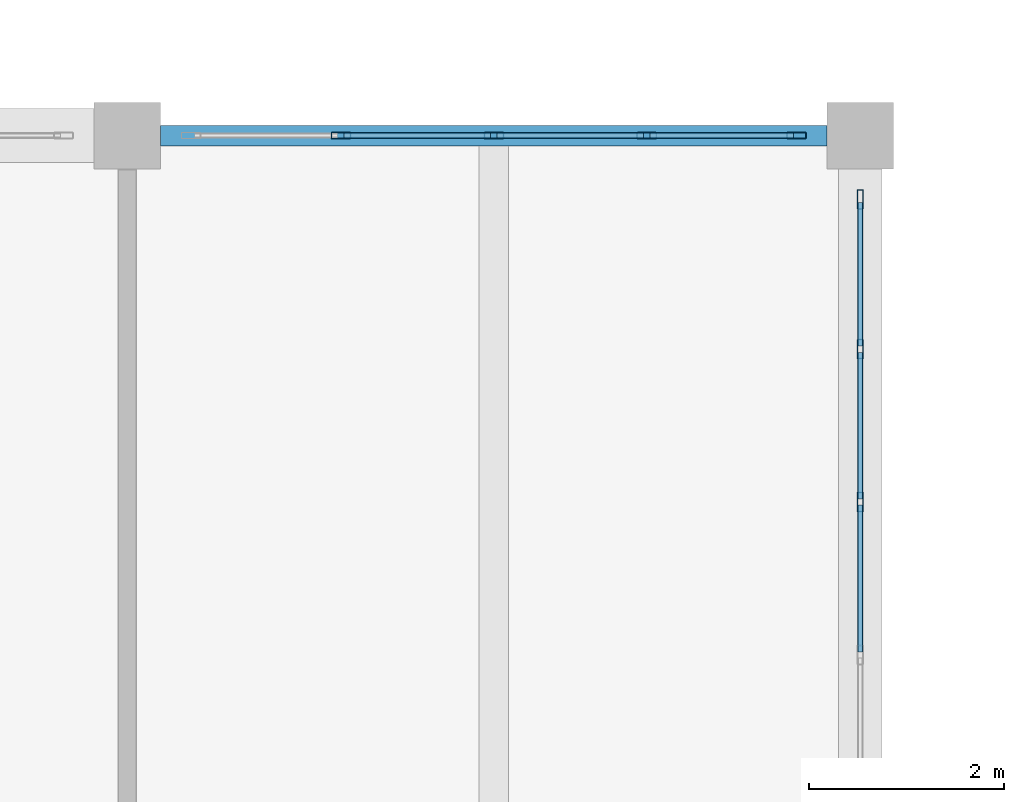
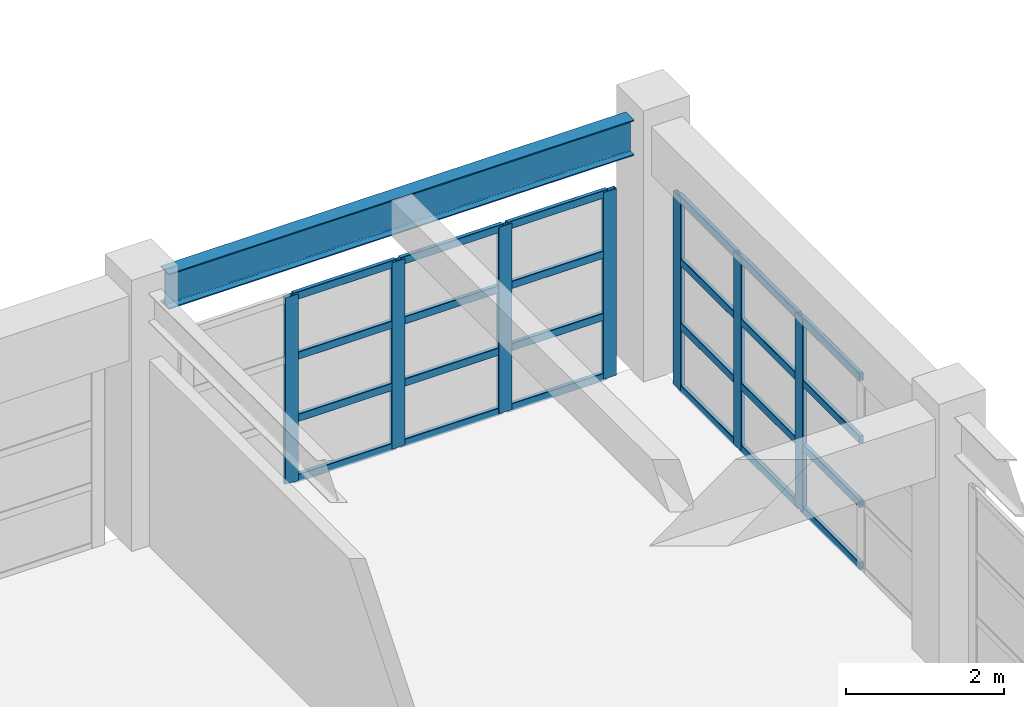
# One storey, part 27 of 132: 31 members, 1 beam, 2 elements without a shape of their own.
"""IFC4 building model written with IfcOpenShell, lengths in metres."""

from ifc_helpers import new_model, si_unit, direction, frame, origin, origin_2d, place, context, subcontext, project, spatial, hollow_rectangle, i_section, extrude, material, material_profile, profile_set, type_object, element, aggregate, save


model = new_model("IFC4")

# Units and contexts
model_context = context("Model", 3, precision=1e-05, world=origin(), true_north=direction((0.0, 1.0)))
body_context = subcontext(model_context, "Body", "Model", "MODEL_VIEW")
ifc_project = project(units=[si_unit("LENGTHUNIT", "METRE"), si_unit("AREAUNIT", "SQUARE_METRE"), si_unit("VOLUMEUNIT", "CUBIC_METRE"), si_unit("PLANEANGLEUNIT", "RADIAN"), si_unit("MASSUNIT", "GRAM", prefix="KILO")], contexts=[model_context])

# Site, building, storey
site_placement = place(None, origin())
site = spatial("IfcSite", under=ifc_project, at=site_placement, CompositionType="ELEMENT")
building_placement = place(site_placement, origin())
building = spatial("IfcBuilding", under=site, at=building_placement, Name="Qasida Concert Hall", CompositionType="ELEMENT")
storey_placement = place(building_placement, frame((0.0, 0.0, 4.800048828125)))
storey = spatial("IfcBuildingStorey", under=building, at=storey_placement, Name="L01", CompositionType="ELEMENT", Elevation=4.800048828125)

# Beam
ifc_material_1 = material(Name="Steel S355J2", Category="steel")
ifc_material_profile_1 = material_profile(ifc_material_1, i_section(OverallWidth=0.2099609375, OverallDepth=0.550048828125, WebThickness=0.010986328125, FlangeThickness=0.01708984375, FilletRadius=0.02392578125, at=origin_2d()), Name="IPE 550")
ifc_profile_set_1 = profile_set([ifc_material_profile_1], Name="Steel S355J2")
beam_type = type_object("IfcBeamType", Name="BM-SP2", PredefinedType="SPANDREL", material=ifc_profile_set_1)
beam_placement = place(storey_placement, frame((30.340087890625, 52.5, 3.64501953125), z_axis=(1.0, 0.0, 0.0), x_axis=(0.0, 1.0, 0.0)))
element("IfcBeam", 1, at=beam_placement, inside=storey, type_object=beam_type, Name="Primary girder 0919", PredefinedType="SPANDREL", context=body_context, shape_type="SweptSolid", body=[
    extrude(i_section(OverallWidth=0.2099609375, OverallDepth=0.550048828125, WebThickness=0.010986328125, FlangeThickness=0.01708984375, FilletRadius=0.02392578125, at=origin_2d()), origin(), (0.0, 0.0, 1.0), 6.81982421875),
])

# Curtain wall, members
ifc_material_2 = material(Name="Architectural bronze-anodized aluminium and low-E glass", Category="aluminium")
curtain_wall_type = type_object("IfcCurtainWallType", Name="CW-07", PredefinedType="NOTDEFINED", material=ifc_material_2)
curtain_wall_1_placement = place(storey_placement, origin())
curtain_wall_1 = element("IfcCurtainWall", 2, at=curtain_wall_1_placement, inside=storey, type_object=curtain_wall_type, Name="L01 curtain wall CW-07 0090", PredefinedType="NOTDEFINED")
ifc_material_3 = material(Name="Architectural bronze-anodized aluminium EN AW-6063", Category="aluminium")
ifc_material_profile_2 = material_profile(ifc_material_3, hollow_rectangle(XDim=0.06494140625, YDim=0.199951171875, WallThickness=0.0048828125, InnerFilletRadius=0.0048828125, OuterFilletRadius=0.010009765625, at=origin_2d()), Name="CWM 200x65x5")
ifc_profile_set_2 = profile_set([ifc_material_profile_2], Name="Architectural bronze-anodized aluminium EN AW-6063")
member_type_1 = type_object("IfcMemberType", Name="MB-CWM-2", PredefinedType="MULLION", material=ifc_profile_set_2)
member_1_placement = place(storey_placement, frame((32.18505859375, 52.5, 0.0), z_axis=(0.0, 0.0, 1.0), x_axis=(0.0, 1.0, 0.0)))
member_1 = element("IfcMember", 3, at=member_1_placement, type_object=member_type_1, Name="CW-07 mullion 2", PredefinedType="MULLION", context=body_context, shape_type="SweptSolid", body=[
    extrude(hollow_rectangle(XDim=0.06494140625, YDim=0.199951171875, WallThickness=0.0048828125, InnerFilletRadius=0.0048828125, OuterFilletRadius=0.010009765625, at=origin_2d()), origin(), (0.0, 0.0, 1.0), 2.889892578125),
])
member_2_placement = place(storey_placement, frame((33.75, 52.5, 0.0), z_axis=(0.0, 0.0, 1.0), x_axis=(0.0, 1.0, 0.0)))
member_2 = element("IfcMember", 4, at=member_2_placement, type_object=member_type_1, Name="CW-07 mullion 3", PredefinedType="MULLION", context=body_context, shape_type="SweptSolid", body=[
    extrude(hollow_rectangle(XDim=0.06494140625, YDim=0.199951171875, WallThickness=0.0048828125, InnerFilletRadius=0.0048828125, OuterFilletRadius=0.010009765625, at=origin_2d()), origin(), (0.0, 0.0, 1.0), 2.889892578125),
])
member_3_placement = place(storey_placement, frame((35.31494140625, 52.5, 0.0), z_axis=(0.0, 0.0, 1.0), x_axis=(0.0, 1.0, 0.0)))
member_3 = element("IfcMember", 5, at=member_3_placement, type_object=member_type_1, Name="CW-07 mullion 4", PredefinedType="MULLION", context=body_context, shape_type="SweptSolid", body=[
    extrude(hollow_rectangle(XDim=0.06494140625, YDim=0.199951171875, WallThickness=0.0048828125, InnerFilletRadius=0.0048828125, OuterFilletRadius=0.010009765625, at=origin_2d()), origin(), (0.0, 0.0, 1.0), 2.889892578125),
])
member_4_placement = place(storey_placement, frame((36.847412109375, 52.5, 0.0), z_axis=(0.0, 0.0, 1.0), x_axis=(0.0, 1.0, 0.0)))
member_4 = element("IfcMember", 6, at=member_4_placement, type_object=member_type_1, Name="CW-07 mullion 5", PredefinedType="MULLION", context=body_context, shape_type="SweptSolid", body=[
    extrude(hollow_rectangle(XDim=0.06494140625, YDim=0.199951171875, WallThickness=0.0048828125, InnerFilletRadius=0.0048828125, OuterFilletRadius=0.010009765625, at=origin_2d()), origin(), (0.0, 0.0, 1.0), 2.889892578125),
])

curtain_wall_2_placement = place(storey_placement, origin())
curtain_wall_2 = element("IfcCurtainWall", 7, at=curtain_wall_2_placement, inside=storey, type_object=curtain_wall_type, Name="L01 curtain wall CW-07 0098", PredefinedType="NOTDEFINED")
member_5_placement = place(storey_placement, frame((37.5, 48.75, 0.0), z_axis=(0.0, 0.0, 1.0), x_axis=(-1.0, 0.0, 0.0)))
member_5 = element("IfcMember", 8, at=member_5_placement, type_object=member_type_1, Name="CW-07 mullion 3", PredefinedType="MULLION", context=body_context, shape_type="SweptSolid", body=[
    extrude(hollow_rectangle(XDim=0.06494140625, YDim=0.199951171875, WallThickness=0.0048828125, InnerFilletRadius=0.0048828125, OuterFilletRadius=0.010009765625, at=origin_2d()), origin(), (0.0, 0.0, 1.0), 2.989990234375),
])
member_6_placement = place(storey_placement, frame((37.5, 50.31494140625, 0.0), z_axis=(0.0, 0.0, 1.0), x_axis=(-1.0, 0.0, 0.0)))
member_6 = element("IfcMember", 9, at=member_6_placement, type_object=member_type_1, Name="CW-07 mullion 4", PredefinedType="MULLION", context=body_context, shape_type="SweptSolid", body=[
    extrude(hollow_rectangle(XDim=0.06494140625, YDim=0.199951171875, WallThickness=0.0048828125, InnerFilletRadius=0.0048828125, OuterFilletRadius=0.010009765625, at=origin_2d()), origin(), (0.0, 0.0, 1.0), 2.989990234375),
])
member_7_placement = place(storey_placement, frame((37.5, 51.847412109375, 0.0), z_axis=(0.0, 0.0, 1.0), x_axis=(-1.0, 0.0, 0.0)))
member_7 = element("IfcMember", 10, at=member_7_placement, type_object=member_type_1, Name="CW-07 mullion 5", PredefinedType="MULLION", context=body_context, shape_type="SweptSolid", body=[
    extrude(hollow_rectangle(XDim=0.06494140625, YDim=0.199951171875, WallThickness=0.0048828125, InnerFilletRadius=0.0048828125, OuterFilletRadius=0.010009765625, at=origin_2d()), origin(), (0.0, 0.0, 1.0), 2.989990234375),
])

# Member
ifc_material_profile_3 = material_profile(ifc_material_3, hollow_rectangle(XDim=0.06005859375, YDim=0.1201171875, WallThickness=0.00390625, InnerFilletRadius=0.00390625, OuterFilletRadius=0.008056640625, at=origin_2d()), Name="CWT 120x60x4")
ifc_profile_set_3 = profile_set([ifc_material_profile_3], Name="Architectural bronze-anodized aluminium EN AW-6063")
member_type_2 = type_object("IfcMemberType", Name="MB-CWT-2", PredefinedType="USERDEFINED", material=ifc_profile_set_3)
member_8_placement = place(storey_placement, frame((32.217529296875, 52.5, 0.030029296875), z_axis=(1.0, 0.0, 0.0), x_axis=(0.0, 1.0, 0.0)))
member_8 = element("IfcMember", 11, at=member_8_placement, type_object=member_type_2, Name="CW-07 transom 2.1", ObjectType="TRANSOM", PredefinedType="USERDEFINED", context=body_context, shape_type="SweptSolid", body=[
    extrude(hollow_rectangle(XDim=0.06005859375, YDim=0.1201171875, WallThickness=0.00390625, InnerFilletRadius=0.00390625, OuterFilletRadius=0.008056640625, at=origin_2d()), origin(), (0.0, 0.0, 1.0), 1.5),
])

member_9_placement = place(storey_placement, frame((32.217529296875, 52.5, 0.963134765625), z_axis=(1.0, 0.0, 0.0), x_axis=(0.0, 1.0, 0.0)))
member_9 = element("IfcMember", 12, at=member_9_placement, type_object=member_type_2, Name="CW-07 transom 2.2", ObjectType="TRANSOM", PredefinedType="USERDEFINED", context=body_context, shape_type="SweptSolid", body=[
    extrude(hollow_rectangle(XDim=0.06005859375, YDim=0.1201171875, WallThickness=0.00390625, InnerFilletRadius=0.00390625, OuterFilletRadius=0.008056640625, at=origin_2d()), origin(), (0.0, 0.0, 1.0), 1.5),
])

member_10_placement = place(storey_placement, frame((32.217529296875, 52.5, 1.9267578125), z_axis=(1.0, 0.0, 0.0), x_axis=(0.0, 1.0, 0.0)))
member_10 = element("IfcMember", 13, at=member_10_placement, type_object=member_type_2, Name="CW-07 transom 2.3", ObjectType="TRANSOM", PredefinedType="USERDEFINED", context=body_context, shape_type="SweptSolid", body=[
    extrude(hollow_rectangle(XDim=0.06005859375, YDim=0.1201171875, WallThickness=0.00390625, InnerFilletRadius=0.00390625, OuterFilletRadius=0.008056640625, at=origin_2d()), origin(), (0.0, 0.0, 1.0), 1.5),
])

member_11_placement = place(storey_placement, frame((32.217529296875, 52.5, 2.85986328125), z_axis=(1.0, 0.0, 0.0), x_axis=(0.0, 1.0, 0.0)))
member_11 = element("IfcMember", 14, at=member_11_placement, type_object=member_type_2, Name="CW-07 transom 2.4", ObjectType="TRANSOM", PredefinedType="USERDEFINED", context=body_context, shape_type="SweptSolid", body=[
    extrude(hollow_rectangle(XDim=0.06005859375, YDim=0.1201171875, WallThickness=0.00390625, InnerFilletRadius=0.00390625, OuterFilletRadius=0.008056640625, at=origin_2d()), origin(), (0.0, 0.0, 1.0), 1.5),
])

member_12_placement = place(storey_placement, frame((33.782470703125, 52.5, 0.030029296875), z_axis=(1.0, 0.0, 0.0), x_axis=(0.0, 1.0, 0.0)))
member_12 = element("IfcMember", 15, at=member_12_placement, type_object=member_type_2, Name="CW-07 transom 3.1", ObjectType="TRANSOM", PredefinedType="USERDEFINED", context=body_context, shape_type="SweptSolid", body=[
    extrude(hollow_rectangle(XDim=0.06005859375, YDim=0.1201171875, WallThickness=0.00390625, InnerFilletRadius=0.00390625, OuterFilletRadius=0.008056640625, at=origin_2d()), origin(), (0.0, 0.0, 1.0), 1.5),
])

member_13_placement = place(storey_placement, frame((33.782470703125, 52.5, 0.963134765625), z_axis=(1.0, 0.0, 0.0), x_axis=(0.0, 1.0, 0.0)))
member_13 = element("IfcMember", 16, at=member_13_placement, type_object=member_type_2, Name="CW-07 transom 3.2", ObjectType="TRANSOM", PredefinedType="USERDEFINED", context=body_context, shape_type="SweptSolid", body=[
    extrude(hollow_rectangle(XDim=0.06005859375, YDim=0.1201171875, WallThickness=0.00390625, InnerFilletRadius=0.00390625, OuterFilletRadius=0.008056640625, at=origin_2d()), origin(), (0.0, 0.0, 1.0), 1.5),
])

member_14_placement = place(storey_placement, frame((33.782470703125, 52.5, 1.9267578125), z_axis=(1.0, 0.0, 0.0), x_axis=(0.0, 1.0, 0.0)))
member_14 = element("IfcMember", 17, at=member_14_placement, type_object=member_type_2, Name="CW-07 transom 3.3", ObjectType="TRANSOM", PredefinedType="USERDEFINED", context=body_context, shape_type="SweptSolid", body=[
    extrude(hollow_rectangle(XDim=0.06005859375, YDim=0.1201171875, WallThickness=0.00390625, InnerFilletRadius=0.00390625, OuterFilletRadius=0.008056640625, at=origin_2d()), origin(), (0.0, 0.0, 1.0), 1.5),
])

member_15_placement = place(storey_placement, frame((33.782470703125, 52.5, 2.85986328125), z_axis=(1.0, 0.0, 0.0), x_axis=(0.0, 1.0, 0.0)))
member_15 = element("IfcMember", 18, at=member_15_placement, type_object=member_type_2, Name="CW-07 transom 3.4", ObjectType="TRANSOM", PredefinedType="USERDEFINED", context=body_context, shape_type="SweptSolid", body=[
    extrude(hollow_rectangle(XDim=0.06005859375, YDim=0.1201171875, WallThickness=0.00390625, InnerFilletRadius=0.00390625, OuterFilletRadius=0.008056640625, at=origin_2d()), origin(), (0.0, 0.0, 1.0), 1.5),
])

member_16_placement = place(storey_placement, frame((35.347412109375, 52.5, 0.030029296875), z_axis=(1.0, 0.0, 0.0), x_axis=(0.0, 1.0, 0.0)))
member_16 = element("IfcMember", 19, at=member_16_placement, type_object=member_type_2, Name="CW-07 transom 4.1", ObjectType="TRANSOM", PredefinedType="USERDEFINED", context=body_context, shape_type="SweptSolid", body=[
    extrude(hollow_rectangle(XDim=0.06005859375, YDim=0.1201171875, WallThickness=0.00390625, InnerFilletRadius=0.00390625, OuterFilletRadius=0.008056640625, at=origin_2d()), origin(), (0.0, 0.0, 1.0), 1.467529296875),
])

member_17_placement = place(storey_placement, frame((35.347412109375, 52.5, 0.963134765625), z_axis=(1.0, 0.0, 0.0), x_axis=(0.0, 1.0, 0.0)))
member_17 = element("IfcMember", 20, at=member_17_placement, type_object=member_type_2, Name="CW-07 transom 4.2", ObjectType="TRANSOM", PredefinedType="USERDEFINED", context=body_context, shape_type="SweptSolid", body=[
    extrude(hollow_rectangle(XDim=0.06005859375, YDim=0.1201171875, WallThickness=0.00390625, InnerFilletRadius=0.00390625, OuterFilletRadius=0.008056640625, at=origin_2d()), origin(), (0.0, 0.0, 1.0), 1.467529296875),
])

member_18_placement = place(storey_placement, frame((35.347412109375, 52.5, 1.9267578125), z_axis=(1.0, 0.0, 0.0), x_axis=(0.0, 1.0, 0.0)))
member_18 = element("IfcMember", 21, at=member_18_placement, type_object=member_type_2, Name="CW-07 transom 4.3", ObjectType="TRANSOM", PredefinedType="USERDEFINED", context=body_context, shape_type="SweptSolid", body=[
    extrude(hollow_rectangle(XDim=0.06005859375, YDim=0.1201171875, WallThickness=0.00390625, InnerFilletRadius=0.00390625, OuterFilletRadius=0.008056640625, at=origin_2d()), origin(), (0.0, 0.0, 1.0), 1.467529296875),
])

member_19_placement = place(storey_placement, frame((35.347412109375, 52.5, 2.85986328125), z_axis=(1.0, 0.0, 0.0), x_axis=(0.0, 1.0, 0.0)))
member_19 = element("IfcMember", 22, at=member_19_placement, type_object=member_type_2, Name="CW-07 transom 4.4", ObjectType="TRANSOM", PredefinedType="USERDEFINED", context=body_context, shape_type="SweptSolid", body=[
    extrude(hollow_rectangle(XDim=0.06005859375, YDim=0.1201171875, WallThickness=0.00390625, InnerFilletRadius=0.00390625, OuterFilletRadius=0.008056640625, at=origin_2d()), origin(), (0.0, 0.0, 1.0), 1.467529296875),
])

aggregate(curtain_wall_1, [member_1, member_2, member_3, member_4, member_8, member_9, member_10, member_11, member_12, member_13, member_14, member_15, member_16, member_17, member_18, member_19])

member_20_placement = place(storey_placement, frame((37.5, 47.217529296875, 0.030029296875), z_axis=(0.0, 1.0, 0.0), x_axis=(-1.0, 0.0, 0.0)))
member_20 = element("IfcMember", 23, at=member_20_placement, type_object=member_type_2, Name="CW-07 transom 2.1", ObjectType="TRANSOM", PredefinedType="USERDEFINED", context=body_context, shape_type="SweptSolid", body=[
    extrude(hollow_rectangle(XDim=0.06005859375, YDim=0.1201171875, WallThickness=0.00390625, InnerFilletRadius=0.00390625, OuterFilletRadius=0.008056640625, at=origin_2d()), origin(), (0.0, 0.0, 1.0), 1.5),
])

member_21_placement = place(storey_placement, frame((37.5, 47.217529296875, 0.99658203125), z_axis=(0.0, 1.0, 0.0), x_axis=(-1.0, 0.0, 0.0)))
member_21 = element("IfcMember", 24, at=member_21_placement, type_object=member_type_2, Name="CW-07 transom 2.2", ObjectType="TRANSOM", PredefinedType="USERDEFINED", context=body_context, shape_type="SweptSolid", body=[
    extrude(hollow_rectangle(XDim=0.06005859375, YDim=0.1201171875, WallThickness=0.00390625, InnerFilletRadius=0.00390625, OuterFilletRadius=0.008056640625, at=origin_2d()), origin(), (0.0, 0.0, 1.0), 1.5),
])

member_22_placement = place(storey_placement, frame((37.5, 47.217529296875, 1.9931640625), z_axis=(0.0, 1.0, 0.0), x_axis=(-1.0, 0.0, 0.0)))
member_22 = element("IfcMember", 25, at=member_22_placement, type_object=member_type_2, Name="CW-07 transom 2.3", ObjectType="TRANSOM", PredefinedType="USERDEFINED", context=body_context, shape_type="SweptSolid", body=[
    extrude(hollow_rectangle(XDim=0.06005859375, YDim=0.1201171875, WallThickness=0.00390625, InnerFilletRadius=0.00390625, OuterFilletRadius=0.008056640625, at=origin_2d()), origin(), (0.0, 0.0, 1.0), 1.5),
])

member_23_placement = place(storey_placement, frame((37.5, 47.217529296875, 2.9599609375), z_axis=(0.0, 1.0, 0.0), x_axis=(-1.0, 0.0, 0.0)))
member_23 = element("IfcMember", 26, at=member_23_placement, type_object=member_type_2, Name="CW-07 transom 2.4", ObjectType="TRANSOM", PredefinedType="USERDEFINED", context=body_context, shape_type="SweptSolid", body=[
    extrude(hollow_rectangle(XDim=0.06005859375, YDim=0.1201171875, WallThickness=0.00390625, InnerFilletRadius=0.00390625, OuterFilletRadius=0.008056640625, at=origin_2d()), origin(), (0.0, 0.0, 1.0), 1.5),
])

member_24_placement = place(storey_placement, frame((37.5, 48.782470703125, 0.030029296875), z_axis=(0.0, 1.0, 0.0), x_axis=(-1.0, 0.0, 0.0)))
member_24 = element("IfcMember", 27, at=member_24_placement, type_object=member_type_2, Name="CW-07 transom 3.1", ObjectType="TRANSOM", PredefinedType="USERDEFINED", context=body_context, shape_type="SweptSolid", body=[
    extrude(hollow_rectangle(XDim=0.06005859375, YDim=0.1201171875, WallThickness=0.00390625, InnerFilletRadius=0.00390625, OuterFilletRadius=0.008056640625, at=origin_2d()), origin(), (0.0, 0.0, 1.0), 1.5),
])

member_25_placement = place(storey_placement, frame((37.5, 48.782470703125, 0.99658203125), z_axis=(0.0, 1.0, 0.0), x_axis=(-1.0, 0.0, 0.0)))
member_25 = element("IfcMember", 28, at=member_25_placement, type_object=member_type_2, Name="CW-07 transom 3.2", ObjectType="TRANSOM", PredefinedType="USERDEFINED", context=body_context, shape_type="SweptSolid", body=[
    extrude(hollow_rectangle(XDim=0.06005859375, YDim=0.1201171875, WallThickness=0.00390625, InnerFilletRadius=0.00390625, OuterFilletRadius=0.008056640625, at=origin_2d()), origin(), (0.0, 0.0, 1.0), 1.5),
])

member_26_placement = place(storey_placement, frame((37.5, 48.782470703125, 1.9931640625), z_axis=(0.0, 1.0, 0.0), x_axis=(-1.0, 0.0, 0.0)))
member_26 = element("IfcMember", 29, at=member_26_placement, type_object=member_type_2, Name="CW-07 transom 3.3", ObjectType="TRANSOM", PredefinedType="USERDEFINED", context=body_context, shape_type="SweptSolid", body=[
    extrude(hollow_rectangle(XDim=0.06005859375, YDim=0.1201171875, WallThickness=0.00390625, InnerFilletRadius=0.00390625, OuterFilletRadius=0.008056640625, at=origin_2d()), origin(), (0.0, 0.0, 1.0), 1.5),
])

member_27_placement = place(storey_placement, frame((37.5, 48.782470703125, 2.9599609375), z_axis=(0.0, 1.0, 0.0), x_axis=(-1.0, 0.0, 0.0)))
member_27 = element("IfcMember", 30, at=member_27_placement, type_object=member_type_2, Name="CW-07 transom 3.4", ObjectType="TRANSOM", PredefinedType="USERDEFINED", context=body_context, shape_type="SweptSolid", body=[
    extrude(hollow_rectangle(XDim=0.06005859375, YDim=0.1201171875, WallThickness=0.00390625, InnerFilletRadius=0.00390625, OuterFilletRadius=0.008056640625, at=origin_2d()), origin(), (0.0, 0.0, 1.0), 1.5),
])

member_28_placement = place(storey_placement, frame((37.5, 50.347412109375, 0.030029296875), z_axis=(0.0, 1.0, 0.0), x_axis=(-1.0, 0.0, 0.0)))
member_28 = element("IfcMember", 31, at=member_28_placement, type_object=member_type_2, Name="CW-07 transom 4.1", ObjectType="TRANSOM", PredefinedType="USERDEFINED", context=body_context, shape_type="SweptSolid", body=[
    extrude(hollow_rectangle(XDim=0.06005859375, YDim=0.1201171875, WallThickness=0.00390625, InnerFilletRadius=0.00390625, OuterFilletRadius=0.008056640625, at=origin_2d()), origin(), (0.0, 0.0, 1.0), 1.467529296875),
])

member_29_placement = place(storey_placement, frame((37.5, 50.347412109375, 0.99658203125), z_axis=(0.0, 1.0, 0.0), x_axis=(-1.0, 0.0, 0.0)))
member_29 = element("IfcMember", 32, at=member_29_placement, type_object=member_type_2, Name="CW-07 transom 4.2", ObjectType="TRANSOM", PredefinedType="USERDEFINED", context=body_context, shape_type="SweptSolid", body=[
    extrude(hollow_rectangle(XDim=0.06005859375, YDim=0.1201171875, WallThickness=0.00390625, InnerFilletRadius=0.00390625, OuterFilletRadius=0.008056640625, at=origin_2d()), origin(), (0.0, 0.0, 1.0), 1.467529296875),
])

member_30_placement = place(storey_placement, frame((37.5, 50.347412109375, 1.9931640625), z_axis=(0.0, 1.0, 0.0), x_axis=(-1.0, 0.0, 0.0)))
member_30 = element("IfcMember", 33, at=member_30_placement, type_object=member_type_2, Name="CW-07 transom 4.3", ObjectType="TRANSOM", PredefinedType="USERDEFINED", context=body_context, shape_type="SweptSolid", body=[
    extrude(hollow_rectangle(XDim=0.06005859375, YDim=0.1201171875, WallThickness=0.00390625, InnerFilletRadius=0.00390625, OuterFilletRadius=0.008056640625, at=origin_2d()), origin(), (0.0, 0.0, 1.0), 1.467529296875),
])

member_31_placement = place(storey_placement, frame((37.5, 50.347412109375, 2.9599609375), z_axis=(0.0, 1.0, 0.0), x_axis=(-1.0, 0.0, 0.0)))
member_31 = element("IfcMember", 34, at=member_31_placement, type_object=member_type_2, Name="CW-07 transom 4.4", ObjectType="TRANSOM", PredefinedType="USERDEFINED", context=body_context, shape_type="SweptSolid", body=[
    extrude(hollow_rectangle(XDim=0.06005859375, YDim=0.1201171875, WallThickness=0.00390625, InnerFilletRadius=0.00390625, OuterFilletRadius=0.008056640625, at=origin_2d()), origin(), (0.0, 0.0, 1.0), 1.467529296875),
])

aggregate(curtain_wall_2, [member_5, member_6, member_7, member_20, member_21, member_22, member_23, member_24, member_25, member_26, member_27, member_28, member_29, member_30, member_31])

save(model, "model.ifc")
